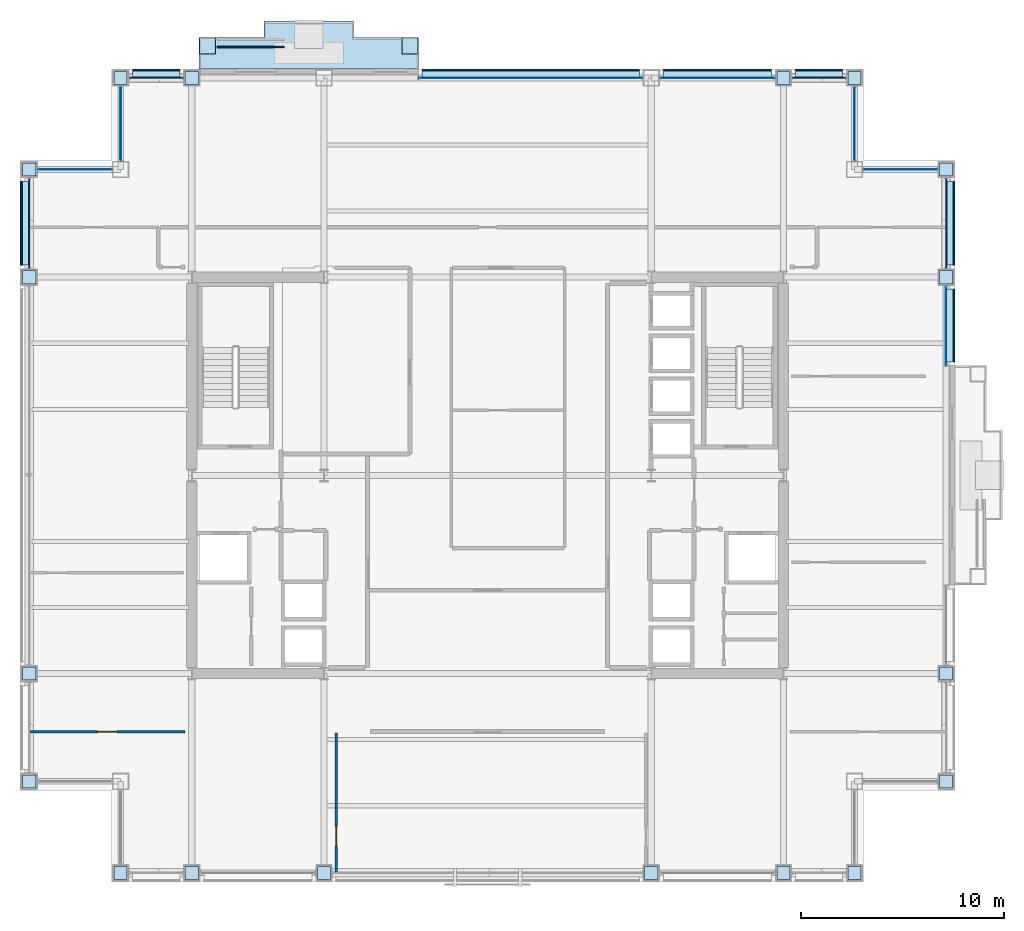
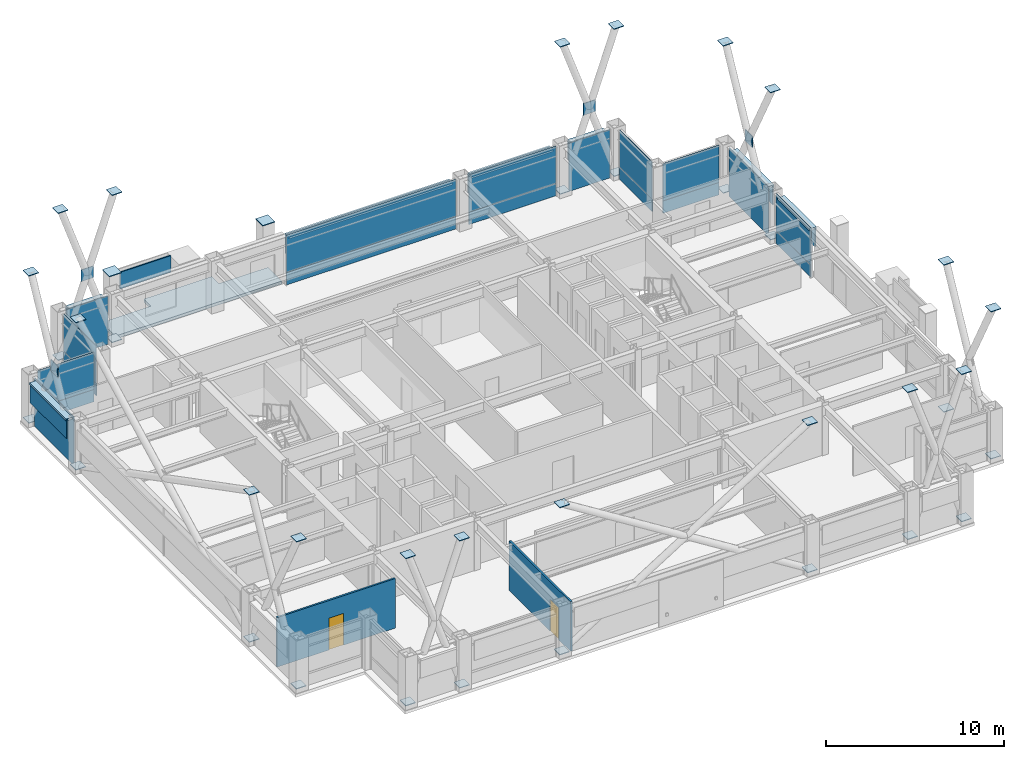
# One storey, part 28 of 35: 75 plates, 2 doors, 2 walls, 1 slab, 2 openings, 11 elements without a shape of their own.
"""IFC4 building model written with IfcOpenShell, lengths in metres."""

from ifc_helpers import new_model, si_unit, direction, frame, frame_2d, origin, origin_2d, place, context, subcontext, project, spatial, polyline, rectangle, outline, extrude, material, layer, layer_set, type_object, element, fill, aggregate, save


model = new_model("IFC4")

# Units and contexts
model_context = context("Model", 3, precision=1e-05, world=origin(), true_north=direction((0.0, 1.0)))
body_context = subcontext(model_context, "Body", "Model", "MODEL_VIEW")
ifc_project = project(units=[si_unit("LENGTHUNIT", "METRE"), si_unit("AREAUNIT", "SQUARE_METRE"), si_unit("VOLUMEUNIT", "CUBIC_METRE"), si_unit("PLANEANGLEUNIT", "RADIAN"), si_unit("MASSUNIT", "GRAM", prefix="KILO")], contexts=[model_context])

# Site, building, storey
site_placement = place(None, origin())
site = spatial("IfcSite", under=ifc_project, at=site_placement, CompositionType="ELEMENT")
building_placement = place(site_placement, origin())
building = spatial("IfcBuilding", under=site, at=building_placement, Name="Brelmoor Portico Tower", CompositionType="ELEMENT")
storey_placement = place(building_placement, frame((0.0, 0.0, 131.39990234375)))
storey = spatial("IfcBuildingStorey", under=building, at=storey_placement, Name="L34", CompositionType="ELEMENT", Elevation=131.39990234375)

# Plates
ifc_material_1 = material(Name="Steel Q355B", Category="steel")
ifc_layer_1 = layer(ifc_material_1, 0.044921875)
ifc_layer_set_1 = layer_set([ifc_layer_1], Name="Steel Q355B")
plate_type_1 = type_object("IfcPlateType", Name="PT-CAP-650", PredefinedType="SHEET", material=ifc_layer_set_1)
for number, where, z_axis, x_axis, name in (
    (1, (-13.780029296875, 21.1298828125, 3.60009765625), (0.0, 0.0, 1.0), (1.0, 0.0, 0.0), "L34 Proud Picture-Frame Pier PFJ-N1 Welded Head Cap Plate"),
    (2, (-3.820068359375, 21.1298828125, 3.60009765625), (0.0, 0.0, 1.0), (1.0, 0.0, 0.0), "L34 Proud Picture-Frame Pier PFJ-N2 Welded Head Cap Plate"),
):
    element("IfcPlate", number, at=place(storey_placement, frame(where, z_axis=z_axis, x_axis=x_axis)), inside=storey, type_object=plate_type_1, Name=name, PredefinedType="SHEET", context=body_context, shape_type="SweptSolid", body=[
        extrude(rectangle(XDim=0.7900390625, YDim=0.7900390625, at=origin_2d()), origin(), (0.0, 0.0, 1.0), 0.0400390625),
    ])
for number, where, z_axis, x_axis, name in (
    (3, (-18.050048828125, -19.550048828125, 0.2275390625), (0.0, 0.0, 1.0), (1.0, 0.0, 0.0), "L34 Continuous Mega-X Brace 074A Joint Cap Plate 1"),
    (4, (-14.550048828125, -19.550048828125, 10.32763671875), (0.0, 0.0, 1.0), (1.0, 0.0, 0.0), "L34 Continuous Mega-X Brace 074A Joint Cap Plate 2"),
    (5, (-14.550048828125, -19.550048828125, 0.2275390625), (0.0, 0.0, 1.0), (1.0, 0.0, 0.0), "L34 Split Mega-X Brace 074B1 Joint Cap Plate 1"),
    (6, (-18.050048828125, -19.550048828125, 10.32763671875), (0.0, 0.0, 1.0), (1.0, 0.0, 0.0), "L34 Split Mega-X Brace 074B2 Joint Cap Plate 2"),
    (7, (-8.050048828125, -19.550048828125, 0.2275390625), (0.0, 0.0, 1.0), (1.0, 0.0, 0.0), "L34 Continuous Mega-X Brace 075A Joint Cap Plate 1"),
    (8, (8.050048828125, -19.550048828125, 10.32763671875), (0.0, 0.0, 1.0), (1.0, 0.0, 0.0), "L34 Continuous Mega-X Brace 075A Joint Cap Plate 2"),
    (9, (8.050048828125, -19.550048828125, 0.2275390625), (0.0, 0.0, 1.0), (1.0, 0.0, 0.0), "L34 Split Mega-X Brace 075B1 Joint Cap Plate 1"),
    (10, (-8.050048828125, -19.550048828125, 10.32763671875), (0.0, 0.0, 1.0), (1.0, 0.0, 0.0), "L34 Split Mega-X Brace 075B2 Joint Cap Plate 2"),
    (11, (14.550048828125, -19.550048828125, 0.2275390625), (0.0, 0.0, 1.0), (1.0, 0.0, 0.0), "L34 Continuous Mega-X Brace 076A Joint Cap Plate 1"),
    (12, (18.050048828125, -19.550048828125, 10.32763671875), (0.0, 0.0, 1.0), (1.0, 0.0, 0.0), "L34 Continuous Mega-X Brace 076A Joint Cap Plate 2"),
    (13, (18.050048828125, -19.550048828125, 0.2275390625), (0.0, 0.0, 1.0), (1.0, 0.0, 0.0), "L34 Split Mega-X Brace 076B1 Joint Cap Plate 1"),
    (14, (14.550048828125, -19.550048828125, 10.32763671875), (0.0, 0.0, 1.0), (1.0, 0.0, 0.0), "L34 Split Mega-X Brace 076B2 Joint Cap Plate 2"),
    (15, (-18.050048828125, 19.550048828125, 0.2275390625), (0.0, 0.0, 1.0), (1.0, 0.0, 0.0), "L34 Continuous Mega-X Brace 077A Joint Cap Plate 1"),
    (16, (-14.550048828125, 19.550048828125, 10.32763671875), (0.0, 0.0, 1.0), (1.0, 0.0, 0.0), "L34 Continuous Mega-X Brace 077A Joint Cap Plate 2"),
    (17, (-14.550048828125, 19.550048828125, 0.2275390625), (0.0, 0.0, 1.0), (1.0, 0.0, 0.0), "L34 Split Mega-X Brace 077B1 Joint Cap Plate 1"),
    (18, (-18.050048828125, 19.550048828125, 10.32763671875), (0.0, 0.0, 1.0), (1.0, 0.0, 0.0), "L34 Split Mega-X Brace 077B2 Joint Cap Plate 2"),
    (19, (14.550048828125, 19.550048828125, 0.2275390625), (0.0, 0.0, 1.0), (1.0, 0.0, 0.0), "L34 Continuous Mega-X Brace 078A Joint Cap Plate 1"),
    (20, (18.050048828125, 19.550048828125, 10.32763671875), (0.0, 0.0, 1.0), (1.0, 0.0, 0.0), "L34 Continuous Mega-X Brace 078A Joint Cap Plate 2"),
    (21, (18.050048828125, 19.550048828125, 0.2275390625), (0.0, 0.0, 1.0), (1.0, 0.0, 0.0), "L34 Split Mega-X Brace 078B1 Joint Cap Plate 1"),
    (22, (14.550048828125, 19.550048828125, 10.32763671875), (0.0, 0.0, 1.0), (1.0, 0.0, 0.0), "L34 Split Mega-X Brace 078B2 Joint Cap Plate 2"),
    (23, (-22.550048828125, -15.050048828125, 0.2275390625), (0.0, 0.0, 1.0), (1.0, 0.0, 0.0), "L34 Continuous Mega-X Brace 079A Joint Cap Plate 1"),
    (24, (-22.550048828125, -9.75, 10.32763671875), (0.0, 0.0, 1.0), (1.0, 0.0, 0.0), "L34 Continuous Mega-X Brace 079A Joint Cap Plate 2"),
    (25, (-22.550048828125, -9.75, 0.2275390625), (0.0, 0.0, 1.0), (1.0, 0.0, 0.0), "L34 Split Mega-X Brace 079B1 Joint Cap Plate 1"),
    (26, (-22.550048828125, -15.050048828125, 10.32763671875), (0.0, 0.0, 1.0), (1.0, 0.0, 0.0), "L34 Split Mega-X Brace 079B2 Joint Cap Plate 2"),
    (27, (-22.550048828125, 9.75, 10.32763671875), (0.0, 0.0, 1.0), (1.0, 0.0, 0.0), "L34 Continuous Mega-X Brace 080A Joint Cap Plate 2"),
    (28, (-22.550048828125, 9.75, 0.2275390625), (0.0, 0.0, 1.0), (1.0, 0.0, 0.0), "L34 Split Mega-X Brace 080B1 Joint Cap Plate 1"),
    (29, (-22.550048828125, 15.050048828125, 10.32763671875), (0.0, 0.0, 1.0), (1.0, 0.0, 0.0), "L34 Continuous Mega-X Brace 081A Joint Cap Plate 2"),
    (30, (-22.550048828125, 15.050048828125, 0.2275390625), (0.0, 0.0, 1.0), (1.0, 0.0, 0.0), "L34 Split Mega-X Brace 081B1 Joint Cap Plate 1"),
    (31, (22.550048828125, -15.050048828125, 0.2275390625), (0.0, 0.0, 1.0), (1.0, 0.0, 0.0), "L34 Continuous Mega-X Brace 082A Joint Cap Plate 1"),
    (32, (22.550048828125, -9.75, 10.32763671875), (0.0, 0.0, 1.0), (1.0, 0.0, 0.0), "L34 Continuous Mega-X Brace 082A Joint Cap Plate 2"),
    (33, (22.550048828125, -9.75, 0.2275390625), (0.0, 0.0, 1.0), (1.0, 0.0, 0.0), "L34 Split Mega-X Brace 082B1 Joint Cap Plate 1"),
    (34, (22.550048828125, -15.050048828125, 10.32763671875), (0.0, 0.0, 1.0), (1.0, 0.0, 0.0), "L34 Split Mega-X Brace 082B2 Joint Cap Plate 2"),
    (35, (22.550048828125, 9.75, 0.2275390625), (0.0, 0.0, 1.0), (1.0, 0.0, 0.0), "L34 Continuous Mega-X Brace 083A Joint Cap Plate 1"),
    (36, (22.550048828125, 15.050048828125, 10.32763671875), (0.0, 0.0, 1.0), (1.0, 0.0, 0.0), "L34 Continuous Mega-X Brace 083A Joint Cap Plate 2"),
    (37, (22.550048828125, 15.050048828125, 0.2275390625), (0.0, 0.0, 1.0), (1.0, 0.0, 0.0), "L34 Split Mega-X Brace 083B1 Joint Cap Plate 1"),
    (38, (22.550048828125, 9.75, 10.32763671875), (0.0, 0.0, 1.0), (1.0, 0.0, 0.0), "L34 Split Mega-X Brace 083B2 Joint Cap Plate 2"),
):
    element("IfcPlate", number, at=place(storey_placement, frame(where, z_axis=z_axis, x_axis=x_axis)), inside=storey, type_object=plate_type_1, Name=name, PredefinedType="SHEET", context=body_context, shape_type="SweptSolid", body=[
        extrude(rectangle(XDim=0.64990234375, YDim=0.64990234375, at=origin_2d()), origin(), (0.0, 0.0, 1.0), 0.044921875),
    ])

# Curtain wall, plate
ifc_material_2 = material(Name="Anodised Aluminium Alloy 6063-T6", Category="aluminium")
ifc_layer_2 = layer(ifc_material_2, 0.179931640625)
ifc_layer_set_2 = layer_set([ifc_layer_2], Name="Anodised Aluminium Alloy 6063-T6")
curtain_wall_type_1 = type_object("IfcCurtainWallType", Name="CW-TOWER-Z2", PredefinedType="NOTDEFINED", material=ifc_layer_set_2)
curtain_wall_1_placement = place(storey_placement, origin())
curtain_wall_1 = element("IfcCurtainWall", 39, at=curtain_wall_1_placement, inside=storey, type_object=curtain_wall_type_1, Name="L34 Curtain Wall CW-L34-2R-1", PredefinedType="NOTDEFINED")
ifc_material_3 = material(Name="Double-Silver Low-E Insulated Glazing", Category="glass")
ifc_layer_3 = layer(ifc_material_3, 0.035888671875)
ifc_layer_set_3 = layer_set([ifc_layer_3], Name="Double-Silver Low-E Insulated Glazing")
plate_type_2 = type_object("IfcPlateType", Name="PT-CW-GLASS", PredefinedType="CURTAIN_PANEL", material=ifc_layer_set_3)
plate_1_placement = place(storey_placement, frame((2.1201171875, 19.550048828125, 0.85009765625), z_axis=(0.0, 0.0, 1.0), x_axis=(1.0, 0.0, 0.0)))
plate_1 = element("IfcPlate", 40, at=plate_1_placement, type_object=plate_type_2, Name="CW-L34-2R-1 Vision Glass Panel 00", PredefinedType="CURTAIN_PANEL", context=body_context, shape_type="SweptSolid", body=[
    extrude(rectangle(XDim=11.010009765625, YDim=0.035888671875, at=origin_2d()), origin(), (0.0, 0.0, 1.0), 2.550048828125),
])

curtain_wall_2_placement = place(storey_placement, origin())
curtain_wall_2 = element("IfcCurtainWall", 41, at=curtain_wall_2_placement, inside=storey, type_object=curtain_wall_type_1, Name="L34 Curtain Wall CW-L34-2R-2", PredefinedType="NOTDEFINED")
plate_2_placement = place(storey_placement, frame((11.300048828125, 19.550048828125, 0.85009765625), z_axis=(0.0, 0.0, 1.0), x_axis=(1.0, 0.0, 0.0)))
plate_2 = element("IfcPlate", 42, at=plate_2_placement, type_object=plate_type_2, Name="CW-L34-2R-2 Vision Glass Panel 00", PredefinedType="CURTAIN_PANEL", context=body_context, shape_type="SweptSolid", body=[
    extrude(rectangle(XDim=5.64990234375, YDim=0.035888671875, at=origin_2d()), origin(), (0.0, 0.0, 1.0), 2.550048828125),
])

curtain_wall_3_placement = place(storey_placement, origin())
curtain_wall_3 = element("IfcCurtainWall", 43, at=curtain_wall_3_placement, inside=storey, type_object=curtain_wall_type_1, Name="L34 Curtain Wall CW-L34-4R-1", PredefinedType="NOTDEFINED")
plate_3_placement = place(storey_placement, frame((22.550048828125, 7.3701171875, 0.85009765625), z_axis=(0.0, 0.0, 1.0), x_axis=(0.0, 1.0, 0.0)))
plate_3 = element("IfcPlate", 44, at=plate_3_placement, type_object=plate_type_2, Name="CW-L34-4R-1 Vision Glass Panel 00", PredefinedType="CURTAIN_PANEL", context=body_context, shape_type="SweptSolid", body=[
    extrude(rectangle(XDim=3.909912109375, YDim=0.035888671875, at=origin_2d()), origin(), (0.0, 0.0, 1.0), 2.550048828125),
])

ifc_layer_4 = layer(ifc_material_2, 0.179931640625)
ifc_layer_set_4 = layer_set([ifc_layer_4], Name="Anodised Aluminium Alloy 6063-T6")
curtain_wall_type_2 = type_object("IfcCurtainWallType", Name="CW-NOTCH-CHAMFER", PredefinedType="NOTDEFINED", material=ifc_layer_set_4)
curtain_wall_4_placement = place(storey_placement, origin())
curtain_wall_4 = element("IfcCurtainWall", 45, at=curtain_wall_4_placement, inside=storey, type_object=curtain_wall_type_2, Name="L34 Curtain Wall CWN-L34-NWH", PredefinedType="NOTDEFINED")
plate_4_placement = place(storey_placement, frame((-20.300048828125, 15.050048828125, 0.85009765625), z_axis=(0.0, 0.0, 1.0), x_axis=(1.0, 0.0, 0.0)))
plate_4 = element("IfcPlate", 46, at=plate_4_placement, type_object=plate_type_2, Name="CWN-L34-NWH Vision Glass Panel 00", PredefinedType="CURTAIN_PANEL", context=body_context, shape_type="SweptSolid", body=[
    extrude(rectangle(XDim=3.64990234375, YDim=0.035888671875, at=origin_2d()), origin(), (0.0, 0.0, 1.0), 2.550048828125),
])

curtain_wall_5_placement = place(storey_placement, origin())
curtain_wall_5 = element("IfcCurtainWall", 47, at=curtain_wall_5_placement, inside=storey, type_object=curtain_wall_type_2, Name="L34 Curtain Wall CWN-L34-NWV", PredefinedType="NOTDEFINED")
plate_5_placement = place(storey_placement, frame((-18.050048828125, 17.300048828125, 0.85009765625), z_axis=(0.0, 0.0, 1.0), x_axis=(0.0, 1.0, 0.0)))
plate_5 = element("IfcPlate", 48, at=plate_5_placement, type_object=plate_type_2, Name="CWN-L34-NWV Vision Glass Panel 00", PredefinedType="CURTAIN_PANEL", context=body_context, shape_type="SweptSolid", body=[
    extrude(rectangle(XDim=3.64990234375, YDim=0.035888671875, at=origin_2d()), origin(), (0.0, 0.0, 1.0), 2.550048828125),
])

curtain_wall_6_placement = place(storey_placement, origin())
curtain_wall_6 = element("IfcCurtainWall", 49, at=curtain_wall_6_placement, inside=storey, type_object=curtain_wall_type_2, Name="L34 Curtain Wall CWN-L34-NEH", PredefinedType="NOTDEFINED")
plate_6_placement = place(storey_placement, frame((20.300048828125, 15.050048828125, 0.85009765625), z_axis=(0.0, 0.0, 1.0), x_axis=(1.0, 0.0, 0.0)))
plate_6 = element("IfcPlate", 50, at=plate_6_placement, type_object=plate_type_2, Name="CWN-L34-NEH Vision Glass Panel 00", PredefinedType="CURTAIN_PANEL", context=body_context, shape_type="SweptSolid", body=[
    extrude(rectangle(XDim=3.64990234375, YDim=0.035888671875, at=origin_2d()), origin(), (0.0, 0.0, 1.0), 2.550048828125),
])

curtain_wall_7_placement = place(storey_placement, origin())
curtain_wall_7 = element("IfcCurtainWall", 51, at=curtain_wall_7_placement, inside=storey, type_object=curtain_wall_type_2, Name="L34 Curtain Wall CWN-L34-NEV", PredefinedType="NOTDEFINED")
plate_7_placement = place(storey_placement, frame((18.050048828125, 17.300048828125, 0.85009765625), z_axis=(0.0, 0.0, 1.0), x_axis=(0.0, 1.0, 0.0)))
plate_7 = element("IfcPlate", 52, at=plate_7_placement, type_object=plate_type_2, Name="CWN-L34-NEV Vision Glass Panel 00", PredefinedType="CURTAIN_PANEL", context=body_context, shape_type="SweptSolid", body=[
    extrude(rectangle(XDim=3.64990234375, YDim=0.035888671875, at=origin_2d()), origin(), (0.0, 0.0, 1.0), 2.550048828125),
])

ifc_layer_5 = layer(ifc_material_2, 0.179931640625)
ifc_layer_set_5 = layer_set([ifc_layer_5], Name="Anodised Aluminium Alloy 6063-T6")
curtain_wall_type_3 = type_object("IfcCurtainWallType", Name="CW-TOWER-Z2-XB", PredefinedType="NOTDEFINED", material=ifc_layer_set_5)
curtain_wall_8_placement = place(storey_placement, origin())
curtain_wall_8 = element("IfcCurtainWall", 53, at=curtain_wall_8_placement, inside=storey, type_object=curtain_wall_type_3, Name="L34 Curtain Wall CW-L34-2L", PredefinedType="NOTDEFINED")
ifc_material_4 = material(Name="Pale Champagne Anodised Aluminium Panel", Category="aluminium")
ifc_layer_6 = layer(ifc_material_4, 0.050048828125)
ifc_layer_set_6 = layer_set([ifc_layer_6], Name="Pale Champagne Anodised Aluminium Panel")
plate_type_3 = type_object("IfcPlateType", Name="PT-CW-SPANDREL", PredefinedType="SHEET", material=ifc_layer_set_6)
plate_8_placement = place(storey_placement, frame((-16.300048828125, 19.550048828125, 0.0), z_axis=(0.0, 0.0, 1.0), x_axis=(1.0, 0.0, 0.0)))
plate_8 = element("IfcPlate", 54, at=plate_8_placement, type_object=plate_type_3, Name="CW-L34-2L Spandrel Panel 00", PredefinedType="SHEET", context=body_context, shape_type="SweptSolid", body=[
    extrude(rectangle(XDim=2.64990234375, YDim=0.050048828125, at=origin_2d()), origin(), (0.0, 0.0, 1.0), 3.330078125),
])
aggregate(curtain_wall_8, [plate_8])

# Plate
plate_9_placement = place(storey_placement, frame((2.1201171875, 19.550048828125, 0.0), z_axis=(0.0, 0.0, 1.0), x_axis=(1.0, 0.0, 0.0)))
plate_9 = element("IfcPlate", 55, at=plate_9_placement, type_object=plate_type_3, Name="CW-L34-2R-1 Spandrel Panel 00", PredefinedType="SHEET", context=body_context, shape_type="SweptSolid", body=[
    extrude(rectangle(XDim=11.010009765625, YDim=0.050048828125, at=origin_2d()), origin(), (0.0, 0.0, 1.0), 0.85009765625),
])

aggregate(curtain_wall_1, [plate_9, plate_1])

plate_10_placement = place(storey_placement, frame((11.300048828125, 19.550048828125, 0.0), z_axis=(0.0, 0.0, 1.0), x_axis=(1.0, 0.0, 0.0)))
plate_10 = element("IfcPlate", 56, at=plate_10_placement, type_object=plate_type_3, Name="CW-L34-2R-2 Spandrel Panel 00", PredefinedType="SHEET", context=body_context, shape_type="SweptSolid", body=[
    extrude(rectangle(XDim=5.64990234375, YDim=0.050048828125, at=origin_2d()), origin(), (0.0, 0.0, 1.0), 0.85009765625),
])

aggregate(curtain_wall_2, [plate_10, plate_2])

# Curtain wall, plate
curtain_wall_9_placement = place(storey_placement, origin())
curtain_wall_9 = element("IfcCurtainWall", 57, at=curtain_wall_9_placement, inside=storey, type_object=curtain_wall_type_3, Name="L34 Curtain Wall CW-L34-2R-3", PredefinedType="NOTDEFINED")
plate_11_placement = place(storey_placement, frame((16.300048828125, 19.550048828125, 0.0), z_axis=(0.0, 0.0, 1.0), x_axis=(1.0, 0.0, 0.0)))
plate_11 = element("IfcPlate", 58, at=plate_11_placement, type_object=plate_type_3, Name="CW-L34-2R-3 Spandrel Panel 00", PredefinedType="SHEET", context=body_context, shape_type="SweptSolid", body=[
    extrude(rectangle(XDim=2.64990234375, YDim=0.050048828125, at=origin_2d()), origin(), (0.0, 0.0, 1.0), 3.330078125),
])
aggregate(curtain_wall_9, [plate_11])

curtain_wall_10_placement = place(storey_placement, origin())
curtain_wall_10 = element("IfcCurtainWall", 59, at=curtain_wall_10_placement, inside=storey, type_object=curtain_wall_type_3, Name="L34 Curtain Wall CW-L34-03-3", PredefinedType="NOTDEFINED")
plate_12_placement = place(storey_placement, frame((-22.550048828125, 12.39990234375, 0.0), z_axis=(0.0, 0.0, 1.0), x_axis=(0.0, 1.0, 0.0)))
plate_12 = element("IfcPlate", 60, at=plate_12_placement, type_object=plate_type_3, Name="CW-L34-03-3 Spandrel Panel 00", PredefinedType="SHEET", context=body_context, shape_type="SweptSolid", body=[
    extrude(rectangle(XDim=4.449951171875, YDim=0.050048828125, at=origin_2d()), origin(), (0.0, 0.0, 1.0), 3.330078125),
])
aggregate(curtain_wall_10, [plate_12])

# Plate
plate_13_placement = place(storey_placement, frame((22.550048828125, 7.3701171875, 0.0), z_axis=(0.0, 0.0, 1.0), x_axis=(0.0, 1.0, 0.0)))
plate_13 = element("IfcPlate", 61, at=plate_13_placement, type_object=plate_type_3, Name="CW-L34-4R-1 Spandrel Panel 00", PredefinedType="SHEET", context=body_context, shape_type="SweptSolid", body=[
    extrude(rectangle(XDim=3.909912109375, YDim=0.050048828125, at=origin_2d()), origin(), (0.0, 0.0, 1.0), 0.85009765625),
])

aggregate(curtain_wall_3, [plate_13, plate_3])

# Curtain wall, plate
curtain_wall_11_placement = place(storey_placement, origin())
curtain_wall_11 = element("IfcCurtainWall", 62, at=curtain_wall_11_placement, inside=storey, type_object=curtain_wall_type_3, Name="L34 Curtain Wall CW-L34-4R-2", PredefinedType="NOTDEFINED")
plate_14_placement = place(storey_placement, frame((22.550048828125, 12.39990234375, 0.0), z_axis=(0.0, 0.0, 1.0), x_axis=(0.0, 1.0, 0.0)))
plate_14 = element("IfcPlate", 63, at=plate_14_placement, type_object=plate_type_3, Name="CW-L34-4R-2 Spandrel Panel 00", PredefinedType="SHEET", context=body_context, shape_type="SweptSolid", body=[
    extrude(rectangle(XDim=4.449951171875, YDim=0.050048828125, at=origin_2d()), origin(), (0.0, 0.0, 1.0), 3.330078125),
])
aggregate(curtain_wall_11, [plate_14])

# Plate
plate_15_placement = place(storey_placement, frame((-20.300048828125, 15.050048828125, 0.0), z_axis=(0.0, 0.0, 1.0), x_axis=(1.0, 0.0, 0.0)))
plate_15 = element("IfcPlate", 64, at=plate_15_placement, type_object=plate_type_3, Name="CWN-L34-NWH Spandrel Panel 00", PredefinedType="SHEET", context=body_context, shape_type="SweptSolid", body=[
    extrude(rectangle(XDim=3.64990234375, YDim=0.050048828125, at=origin_2d()), origin(), (0.0, 0.0, 1.0), 0.85009765625),
])

aggregate(curtain_wall_4, [plate_15, plate_4])

plate_16_placement = place(storey_placement, frame((-18.050048828125, 17.300048828125, 0.0), z_axis=(0.0, 0.0, 1.0), x_axis=(0.0, 1.0, 0.0)))
plate_16 = element("IfcPlate", 65, at=plate_16_placement, type_object=plate_type_3, Name="CWN-L34-NWV Spandrel Panel 00", PredefinedType="SHEET", context=body_context, shape_type="SweptSolid", body=[
    extrude(rectangle(XDim=3.64990234375, YDim=0.050048828125, at=origin_2d()), origin(), (0.0, 0.0, 1.0), 0.85009765625),
])

aggregate(curtain_wall_5, [plate_16, plate_5])

plate_17_placement = place(storey_placement, frame((20.300048828125, 15.050048828125, 0.0), z_axis=(0.0, 0.0, 1.0), x_axis=(1.0, 0.0, 0.0)))
plate_17 = element("IfcPlate", 66, at=plate_17_placement, type_object=plate_type_3, Name="CWN-L34-NEH Spandrel Panel 00", PredefinedType="SHEET", context=body_context, shape_type="SweptSolid", body=[
    extrude(rectangle(XDim=3.64990234375, YDim=0.050048828125, at=origin_2d()), origin(), (0.0, 0.0, 1.0), 0.85009765625),
])

aggregate(curtain_wall_6, [plate_17, plate_6])

plate_18_placement = place(storey_placement, frame((18.050048828125, 17.300048828125, 0.0), z_axis=(0.0, 0.0, 1.0), x_axis=(0.0, 1.0, 0.0)))
plate_18 = element("IfcPlate", 67, at=plate_18_placement, type_object=plate_type_3, Name="CWN-L34-NEV Spandrel Panel 00", PredefinedType="SHEET", context=body_context, shape_type="SweptSolid", body=[
    extrude(rectangle(XDim=3.64990234375, YDim=0.050048828125, at=origin_2d()), origin(), (0.0, 0.0, 1.0), 0.85009765625),
])

aggregate(curtain_wall_7, [plate_18, plate_7])

# Plates
ifc_layer_7 = layer(ifc_material_1, 0.050048828125)
ifc_layer_set_7 = layer_set([ifc_layer_7], Name="Steel Q355B")
plate_type_4 = type_object("IfcPlateType", Name="PT-GUSSET-800", PredefinedType="USERDEFINED", material=ifc_layer_set_7)
for number, where, z_axis, x_axis, name in (
    (68, (-16.300048828125, 19.550048828125, 4.89990234375), (0.0, 0.0, 1.0), (1.0, 0.0, 0.0), "L34 Perimeter Mega-Brace Gusset 077"),
    (69, (16.300048828125, 19.550048828125, 4.89990234375), (0.0, 0.0, 1.0), (1.0, 0.0, 0.0), "L34 Perimeter Mega-Brace Gusset 078"),
):
    element("IfcPlate", number, at=place(storey_placement, frame(where, z_axis=z_axis, x_axis=x_axis)), inside=storey, type_object=plate_type_4, Name=name, ObjectType="GUSSET PLATE", PredefinedType="USERDEFINED", context=body_context, shape_type="SweptSolid", body=[
        extrude(rectangle(XDim=0.800048828125, YDim=0.050048828125, at=origin_2d()), origin(), (0.0, 0.0, 1.0), 0.800048828125),
    ])
for number, where, z_axis, x_axis, name in (
    (70, (-22.550048828125, 12.39990234375, 4.89990234375), (0.0, 0.0, 1.0), (1.0, 0.0, 0.0), "L34 Perimeter Mega-Brace Gusset 081"),
    (71, (22.550048828125, 12.39990234375, 4.89990234375), (0.0, 0.0, 1.0), (1.0, 0.0, 0.0), "L34 Perimeter Mega-Brace Gusset 083"),
):
    element("IfcPlate", number, at=place(storey_placement, frame(where, z_axis=z_axis, x_axis=x_axis)), inside=storey, type_object=plate_type_4, Name=name, ObjectType="GUSSET PLATE", PredefinedType="USERDEFINED", context=body_context, shape_type="SweptSolid", body=[
        extrude(rectangle(XDim=0.050048828125, YDim=0.800048828125, at=origin_2d()), origin(), (0.0, 0.0, 1.0), 0.800048828125),
    ])
ifc_material_5 = material(Name="Powder-Coated Aluminium Shuttered Jalousie Louvre", Category="aluminium")
ifc_layer_8 = layer(ifc_material_5, 0.06005859375)
ifc_layer_set_8 = layer_set([ifc_layer_8], Name="Powder-Coated Aluminium Shuttered Jalousie Louvre")
plate_type_5 = type_object("IfcPlateType", Name="PT-JALOUSIE-SHUTTER", PredefinedType="SHEET", material=ifc_layer_set_8)
plate_19_placement = place(storey_placement, frame((-16.300048828125, 19.929931640625, 1.8740234375), z_axis=(0.0, 0.0, 1.0), x_axis=(1.0, 0.0, 0.0)))
element("IfcPlate", 72, at=plate_19_placement, inside=storey, type_object=plate_type_5, Name="CW-L34-2L Perforated Jalousie Solar Screen", PredefinedType="SHEET", context=body_context, shape_type="SweptSolid", body=[
    extrude(rectangle(XDim=2.320068359375, YDim=0.06494140625, at=origin_2d()), origin(), (0.0, 0.0, 1.0), 1.325927734375),
])
plate_20_placement = place(storey_placement, frame((2.1201171875, 19.929931640625, 1.8740234375), z_axis=(0.0, 0.0, 1.0), x_axis=(1.0, 0.0, 0.0)))
element("IfcPlate", 73, at=plate_20_placement, inside=storey, type_object=plate_type_5, Name="CW-L34-2R-1 Perforated Jalousie Solar Screen", PredefinedType="SHEET", context=body_context, shape_type="SweptSolid", body=[
    extrude(rectangle(XDim=10.679931640625, YDim=0.06494140625, at=origin_2d()), origin(), (0.0, 0.0, 1.0), 1.325927734375),
])
plate_21_placement = place(storey_placement, frame((11.300048828125, 19.929931640625, 1.8740234375), z_axis=(0.0, 0.0, 1.0), x_axis=(1.0, 0.0, 0.0)))
element("IfcPlate", 74, at=plate_21_placement, inside=storey, type_object=plate_type_5, Name="CW-L34-2R-2 Perforated Jalousie Solar Screen", PredefinedType="SHEET", context=body_context, shape_type="SweptSolid", body=[
    extrude(rectangle(XDim=5.320068359375, YDim=0.06494140625, at=origin_2d()), origin(), (0.0, 0.0, 1.0), 1.325927734375),
])
plate_22_placement = place(storey_placement, frame((16.300048828125, 19.929931640625, 1.8740234375), z_axis=(0.0, 0.0, 1.0), x_axis=(1.0, 0.0, 0.0)))
element("IfcPlate", 75, at=plate_22_placement, inside=storey, type_object=plate_type_5, Name="CW-L34-2R-3 Perforated Jalousie Solar Screen", PredefinedType="SHEET", context=body_context, shape_type="SweptSolid", body=[
    extrude(rectangle(XDim=2.320068359375, YDim=0.06494140625, at=origin_2d()), origin(), (0.0, 0.0, 1.0), 1.325927734375),
])
plate_23_placement = place(storey_placement, frame((-11.64990234375, 21.080078125, 2.275146484375), z_axis=(0.0, 0.0, 1.0), x_axis=(1.0, 0.0, 0.0)))
element("IfcPlate", 76, at=plate_23_placement, inside=storey, type_object=plate_type_5, Name="L34 Shuttered Veranda Screen N", PredefinedType="SHEET", context=body_context, shape_type="SweptSolid", body=[
    extrude(rectangle(XDim=3.300048828125, YDim=0.080078125, at=origin_2d()), origin(), (0.0, 0.0, 1.0), 1.14990234375),
])
plate_24_placement = place(storey_placement, frame((-22.929931640625, 12.39990234375, 1.8740234375), z_axis=(0.0, 0.0, 1.0), x_axis=(0.0, 1.0, 0.0)))
element("IfcPlate", 77, at=plate_24_placement, inside=storey, type_object=plate_type_5, Name="CW-L34-03-3 Perforated Jalousie Solar Screen", PredefinedType="SHEET", context=body_context, shape_type="SweptSolid", body=[
    extrude(rectangle(XDim=4.1201171875, YDim=0.06494140625, at=origin_2d()), origin(), (0.0, 0.0, 1.0), 1.325927734375),
])
plate_25_placement = place(storey_placement, frame((22.929931640625, 7.3701171875, 1.8740234375), z_axis=(0.0, 0.0, 1.0), x_axis=(0.0, 1.0, 0.0)))
element("IfcPlate", 78, at=plate_25_placement, inside=storey, type_object=plate_type_5, Name="CW-L34-4R-1 Perforated Jalousie Solar Screen", PredefinedType="SHEET", context=body_context, shape_type="SweptSolid", body=[
    extrude(rectangle(XDim=3.580078125, YDim=0.06494140625, at=origin_2d()), origin(), (0.0, 0.0, 1.0), 1.325927734375),
])
plate_26_placement = place(storey_placement, frame((22.929931640625, 12.39990234375, 1.8740234375), z_axis=(0.0, 0.0, 1.0), x_axis=(0.0, 1.0, 0.0)))
element("IfcPlate", 79, at=plate_26_placement, inside=storey, type_object=plate_type_5, Name="CW-L34-4R-2 Perforated Jalousie Solar Screen", PredefinedType="SHEET", context=body_context, shape_type="SweptSolid", body=[
    extrude(rectangle(XDim=4.1201171875, YDim=0.06494140625, at=origin_2d()), origin(), (0.0, 0.0, 1.0), 1.325927734375),
])
ifc_material_6 = material(Name="Pale Champagne Perforated Aluminium Solar Screen", Category="aluminium")
ifc_layer_9 = layer(ifc_material_6, 0.054931640625)
ifc_layer_set_9 = layer_set([ifc_layer_9], Name="Pale Champagne Perforated Aluminium Solar Screen")
plate_type_6 = type_object("IfcPlateType", Name="PT-SOLAR-LOUVRE", PredefinedType="SHEET", material=ifc_layer_set_9)
plate_27_placement = place(storey_placement, frame((-16.300048828125, 19.760009765625, 3.09033203125), z_axis=(0.0, 0.0, 1.0), x_axis=(1.0, 0.0, 0.0)))
element("IfcPlate", 80, at=plate_27_placement, inside=storey, type_object=plate_type_6, Name="CW-L34-2L Caribbean Brise-Soleil Solar Screen", PredefinedType="SHEET", context=body_context, shape_type="SweptSolid", body=[
    extrude(rectangle(XDim=2.320068359375, YDim=0.4599609375, at=origin_2d()), origin(), (0.0, 0.0, 1.0), 0.139892578125),
])
plate_28_placement = place(storey_placement, frame((2.1201171875, 19.760009765625, 3.09033203125), z_axis=(0.0, 0.0, 1.0), x_axis=(1.0, 0.0, 0.0)))
element("IfcPlate", 81, at=plate_28_placement, inside=storey, type_object=plate_type_6, Name="CW-L34-2R-1 Caribbean Brise-Soleil Solar Screen", PredefinedType="SHEET", context=body_context, shape_type="SweptSolid", body=[
    extrude(rectangle(XDim=10.679931640625, YDim=0.4599609375, at=origin_2d()), origin(), (0.0, 0.0, 1.0), 0.139892578125),
])
plate_29_placement = place(storey_placement, frame((11.300048828125, 19.760009765625, 3.09033203125), z_axis=(0.0, 0.0, 1.0), x_axis=(1.0, 0.0, 0.0)))
element("IfcPlate", 82, at=plate_29_placement, inside=storey, type_object=plate_type_6, Name="CW-L34-2R-2 Caribbean Brise-Soleil Solar Screen", PredefinedType="SHEET", context=body_context, shape_type="SweptSolid", body=[
    extrude(rectangle(XDim=5.320068359375, YDim=0.4599609375, at=origin_2d()), origin(), (0.0, 0.0, 1.0), 0.139892578125),
])
plate_30_placement = place(storey_placement, frame((16.300048828125, 19.760009765625, 3.09033203125), z_axis=(0.0, 0.0, 1.0), x_axis=(1.0, 0.0, 0.0)))
element("IfcPlate", 83, at=plate_30_placement, inside=storey, type_object=plate_type_6, Name="CW-L34-2R-3 Caribbean Brise-Soleil Solar Screen", PredefinedType="SHEET", context=body_context, shape_type="SweptSolid", body=[
    extrude(rectangle(XDim=2.320068359375, YDim=0.4599609375, at=origin_2d()), origin(), (0.0, 0.0, 1.0), 0.139892578125),
])
plate_31_placement = place(storey_placement, frame((-22.760009765625, 12.39990234375, 3.09033203125), z_axis=(0.0, 0.0, 1.0), x_axis=(0.0, 1.0, 0.0)))
element("IfcPlate", 84, at=plate_31_placement, inside=storey, type_object=plate_type_6, Name="CW-L34-03-3 Caribbean Brise-Soleil Solar Screen", PredefinedType="SHEET", context=body_context, shape_type="SweptSolid", body=[
    extrude(rectangle(XDim=4.1201171875, YDim=0.4599609375, at=origin_2d()), origin(), (0.0, 0.0, 1.0), 0.139892578125),
])
plate_32_placement = place(storey_placement, frame((22.760009765625, 7.3701171875, 3.09033203125), z_axis=(0.0, 0.0, 1.0), x_axis=(0.0, 1.0, 0.0)))
element("IfcPlate", 85, at=plate_32_placement, inside=storey, type_object=plate_type_6, Name="CW-L34-4R-1 Caribbean Brise-Soleil Solar Screen", PredefinedType="SHEET", context=body_context, shape_type="SweptSolid", body=[
    extrude(rectangle(XDim=3.580078125, YDim=0.4599609375, at=origin_2d()), origin(), (0.0, 0.0, 1.0), 0.139892578125),
])
plate_33_placement = place(storey_placement, frame((22.760009765625, 12.39990234375, 3.09033203125), z_axis=(0.0, 0.0, 1.0), x_axis=(0.0, 1.0, 0.0)))
element("IfcPlate", 86, at=plate_33_placement, inside=storey, type_object=plate_type_6, Name="CW-L34-4R-2 Caribbean Brise-Soleil Solar Screen", PredefinedType="SHEET", context=body_context, shape_type="SweptSolid", body=[
    extrude(rectangle(XDim=4.1201171875, YDim=0.4599609375, at=origin_2d()), origin(), (0.0, 0.0, 1.0), 0.139892578125),
])

# Slab
ifc_material_7 = material(Name="Concrete C40", Category="concrete")
ifc_layer_10 = layer(ifc_material_7, 0.199951171875)
ifc_layer_set_10 = layer_set([ifc_layer_10], Name="Concrete C40")
slab_type = type_object("IfcSlabType", Name="SL-BALCONY-200", PredefinedType="FLOOR", material=ifc_layer_set_10)
slab_placement = place(storey_placement, frame((0.0, 0.0, -0.199951171875)))
element("IfcSlab", 87, at=slab_placement, inside=storey, type_object=slab_type, Name="L34 Loggia Tree Balcony Slab N", PredefinedType="FLOOR", context=body_context, shape_type="SweptSolid", body=[
    extrude(outline(polyline([(-14.199951171875, 20.0), (-3.39990234375, 20.0), (-3.39990234375, 21.550048828125), (-6.60009765625, 21.550048828125), (-6.60009765625, 22.35009765625), (-11.0, 22.35009765625), (-11.0, 21.550048828125), (-14.199951171875, 21.550048828125), (-14.199951171875, 20.0)])), origin(), (0.0, 0.0, 1.0), 0.199951171875),
])

# Wall, opening, door
ifc_material_8 = material(Name="Lightweight Gypsum Office Partition", Category="gypsum")
ifc_layer_11 = layer(ifc_material_8, 0.1201171875)
ifc_layer_set_11 = layer_set([ifc_layer_11], Name="Lightweight Gypsum Office Partition")
wall_type = type_object("IfcWallType", Name="WL-PART-120", PredefinedType="PARTITIONING", material=ifc_layer_set_11)
wall_1_placement = place(storey_placement, frame((-7.4404296875, -19.56005859375, 0.0), z_axis=(0.0, 0.0, 1.0), x_axis=(0.0, 1.0, 0.0)))
wall_1 = element("IfcWall", 88, at=wall_1_placement, inside=storey, type_object=wall_type, Name="L34 South Suite Partition 1", PredefinedType="PARTITIONING", context=body_context, shape_type="SweptSolid", body=[
    extrude(rectangle(XDim=6.900146484375, YDim=0.1201171875, at=frame_2d((3.4501953125, 0.0))), origin(), (0.0, 0.0, 1.0), 3.400146484375),
])
opening_1_placement = place(wall_1_placement, frame((1.340087890625, 0.0, 0.0)))
opening_1 = element("IfcOpeningElement", 89, at=opening_1_placement, cuts=wall_1, Name="Opening D-IN2", PredefinedType="OPENING", context=body_context, shape_type="SweptSolid", body=[
    extrude(rectangle(XDim=0.9599609375, YDim=2.179931640625, at=frame_2d((0.47998046875, 1.08984375))), frame((0.0, 0.070068359375, 0.0), z_axis=(0.0, -1.0, 0.0), x_axis=(1.0, 0.0, 0.0)), (0.0, 0.0, 1.0), 0.14013671875),
])
ifc_material_9 = material(Name="Lacquered Timber Suite Door", Category="wood")
door_type = type_object("IfcDoorType", Name="DR-INT-950", OperationType="NOTDEFINED", PredefinedType="DOOR", material=ifc_material_9)
door_1_placement = place(opening_1_placement, origin())
door_1 = element("IfcDoor", 90, at=door_1_placement, inside=storey, type_object=door_type, Name="D-1492 L34 South Suite Connecting Door 1", OperationType="SINGLE_SWING_LEFT", OverallHeight=2.179931640625, OverallWidth=0.9599609375, PredefinedType="DOOR", context=body_context, shape_type="SweptSolid", body=[
    extrude(rectangle(XDim=0.9599609375, YDim=2.179931640625, at=frame_2d((0.47998046875, 1.08984375))), frame((0.0, 0.02490234375, 0.0), z_axis=(0.0, -1.0, 0.0), x_axis=(1.0, 0.0, 0.0)), (0.0, 0.0, 1.0), 0.050048828125),
])
fill(opening_1, door_1)

wall_2_placement = place(storey_placement, frame((-22.56005859375, -12.60009765625, 0.0), z_axis=(0.0, 0.0, 1.0), x_axis=(1.0, 0.0, 0.0)))
wall_2 = element("IfcWall", 91, at=wall_2_placement, inside=storey, type_object=wall_type, Name="L34 South Wing Closure WL", PredefinedType="PARTITIONING", context=body_context, shape_type="SweptSolid", body=[
    extrude(rectangle(XDim=7.68017578125, YDim=0.1201171875, at=frame_2d((3.840087890625, 0.0))), origin(), (0.0, 0.0, 1.0), 3.400146484375),
])
opening_2_placement = place(wall_2_placement, frame((3.360107421875, 0.0, 0.0)))
opening_2 = element("IfcOpeningElement", 92, at=opening_2_placement, cuts=wall_2, Name="Opening D-IN2", PredefinedType="OPENING", context=body_context, shape_type="SweptSolid", body=[
    extrude(rectangle(XDim=0.9599609375, YDim=2.179931640625, at=frame_2d((0.47998046875, 1.08984375))), frame((0.0, 0.070068359375, 0.0), z_axis=(0.0, -1.0, 0.0), x_axis=(1.0, 0.0, 0.0)), (0.0, 0.0, 1.0), 0.14013671875),
])
door_2_placement = place(opening_2_placement, origin())
door_2 = element("IfcDoor", 93, at=door_2_placement, inside=storey, type_object=door_type, Name="D-1497 L34 WL Wing South Suite Door", OperationType="SINGLE_SWING_RIGHT", OverallHeight=2.179931640625, OverallWidth=0.9599609375, PredefinedType="DOOR", context=body_context, shape_type="SweptSolid", body=[
    extrude(rectangle(XDim=0.9599609375, YDim=2.179931640625, at=frame_2d((0.47998046875, 1.08984375))), frame((0.0, 0.02490234375, 0.0), z_axis=(0.0, -1.0, 0.0), x_axis=(1.0, 0.0, 0.0)), (0.0, 0.0, 1.0), 0.050048828125),
])
fill(opening_2, door_2)

save(model, "model.ifc")
